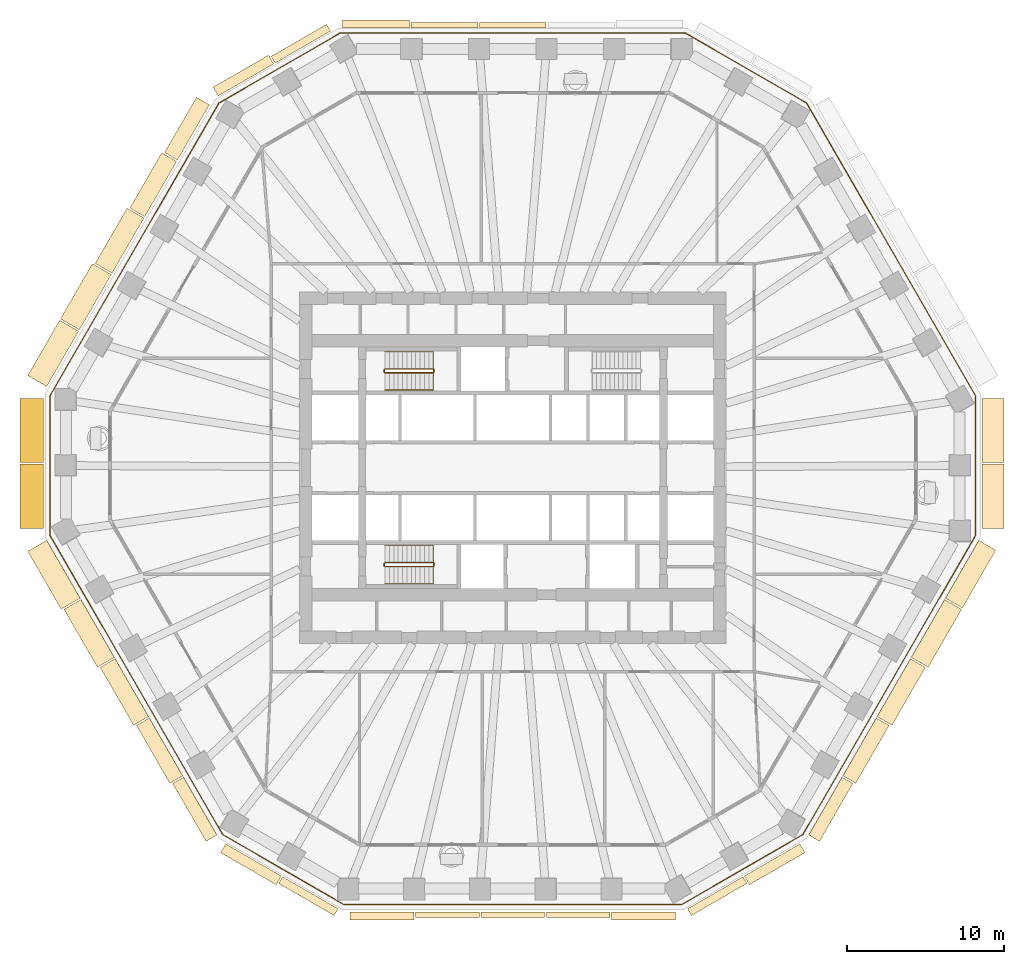
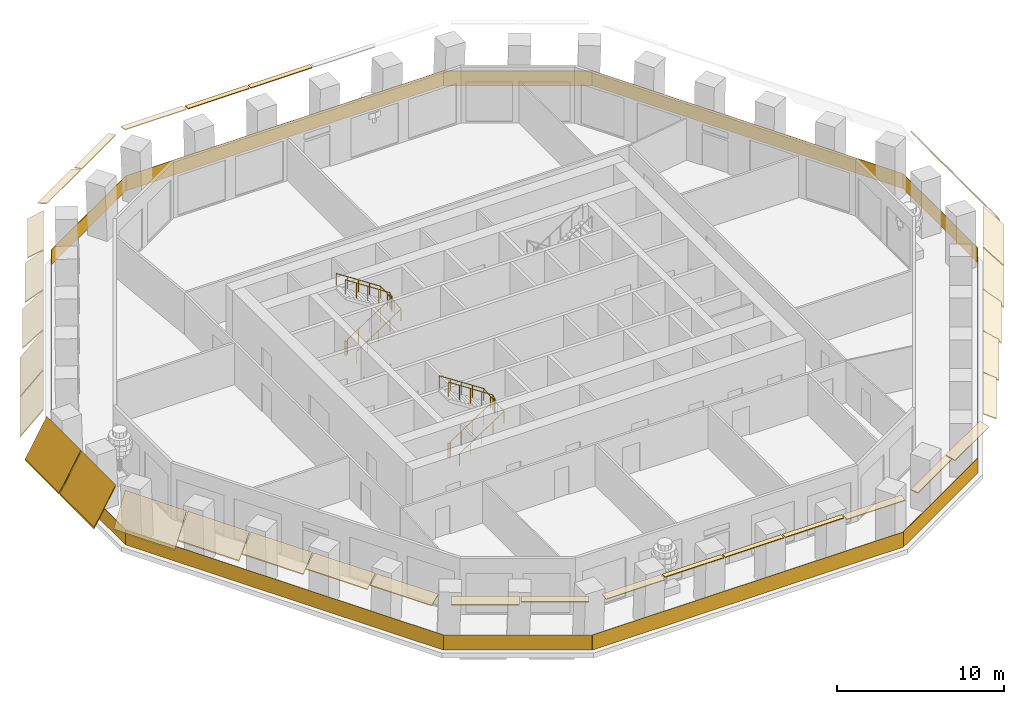
# One storey, part 9 of 12: 33 coverings, 5 railings.
"""IFC4 building model written with IfcOpenShell, lengths in metres."""

from ifc_helpers import new_model, si_unit, direction, frame, origin, origin_2d, place, context, subcontext, project, spatial, polyline, rectangle, circle, outline, extrude, material, layer, layer_set, type_object, element, save


model = new_model("IFC4")

# Units and contexts
model_context = context("Model", 3, precision=1e-05, world=origin(), true_north=direction((0.0, 1.0)))
body_context = subcontext(model_context, "Body", "Model", "MODEL_VIEW")
ifc_project = project(units=[si_unit("LENGTHUNIT", "METRE"), si_unit("AREAUNIT", "SQUARE_METRE"), si_unit("VOLUMEUNIT", "CUBIC_METRE"), si_unit("PLANEANGLEUNIT", "RADIAN"), si_unit("MASSUNIT", "GRAM", prefix="KILO")], contexts=[model_context])

# Site, building, storey
site_placement = place(None, origin())
site = spatial("IfcSite", under=ifc_project, at=site_placement, CompositionType="ELEMENT")
building_placement = place(site_placement, origin())
building = spatial("IfcBuilding", under=site, at=building_placement, Name="Frailejon Research Tower", CompositionType="ELEMENT")
storey_placement = place(building_placement, frame((0.0, 0.0, 85.199951171875)))
storey = spatial("IfcBuildingStorey", under=building, at=storey_placement, Name="L18", CompositionType="ELEMENT", Elevation=85.199951171875)

# Coverings
ifc_material_1 = material(Name="Precast concrete C50/60", Category="concrete")
ifc_layer_1 = layer(ifc_material_1, 0.06005859375)
ifc_layer_set_1 = layer_set([ifc_layer_1], Name="Brim blade depth 1100")
covering_type_1 = type_object("IfcCoveringType", Name="Brim blade depth 1100", PredefinedType="CLADDING", material=ifc_layer_set_1)
covering_1_placement = place(storey_placement, frame((-23.464599609375, 16.011474609375, 4.25), z_axis=(0.500006969834, 0.866021379712, 0.0), x_axis=(-0.866021379712, 0.500006969834, 0.0)))
element("IfcCovering", 1, at=covering_1_placement, inside=storey, type_object=covering_type_1, Name="Brim blade L18", PredefinedType="CLADDING", context=body_context, shape_type="SweptSolid", body=[
    extrude(outline(polyline([(0.0, -0.078369140625), (1.10009765625, -1.001220703125), (1.10009765625, -0.923095703125), (0.0, 0.0), (0.0, -0.078369140625)])), origin(), (0.0, 0.0, 1.0), 4.068115234375),
])
for number, where, z_axis, x_axis, name in (
    (2, (-23.22705078125, -15.869384765625, 4.25), (-0.499992485979, 0.866029741963, 0.0), (-0.866029741963, -0.499992485979, 0.0), "Brim blade L18"),
    (3, (25.35693359375, -12.180419921875, 4.25), (-0.499992485979, -0.866029741963, 0.0), (0.866029741963, -0.499992485979, 0.0), "Brim blade L18"),
):
    element("IfcCovering", number, at=place(storey_placement, frame(where, z_axis=z_axis, x_axis=x_axis)), inside=storey, type_object=covering_type_1, Name=name, PredefinedType="CLADDING", context=body_context, shape_type="SweptSolid", body=[
        extrude(outline(polyline([(0.0, -0.078369140625), (1.10009765625, -1.001220703125), (1.10009765625, -0.923095703125), (0.0, 0.0), (0.0, -0.078369140625)])), origin(), (0.0, 0.0, 1.0), 4.259765625),
    ])
ifc_material_2 = material(Name="Precast concrete C50/60", Category="concrete")
ifc_layer_2 = layer(ifc_material_2, 0.06005859375)
ifc_layer_set_2 = layer_set([ifc_layer_2], Name="Brim blade depth 1250")
covering_type_2 = type_object("IfcCoveringType", Name="Brim blade depth 1250", PredefinedType="CLADDING", material=ifc_layer_set_2)
covering_2_placement = place(storey_placement, frame((-25.548583984375, 12.401611328125, 4.25), z_axis=(0.49998897574, 0.86603176855, 0.0), x_axis=(-0.86603176855, 0.49998897574, 0.0)))
element("IfcCovering", 4, at=covering_2_placement, inside=storey, type_object=covering_type_2, Name="Brim blade L18", PredefinedType="CLADDING", context=body_context, shape_type="SweptSolid", body=[
    extrude(outline(polyline([(0.0, -0.0888671875), (1.25, -1.452880859375), (1.25, -1.364013671875), (0.0, 0.0), (0.0, -0.0888671875)])), origin(), (0.0, 0.0, 1.0), 4.068115234375),
])
for number, where, z_axis, x_axis, name in (
    (5, (-25.406982421875, -12.093994140625, 4.25), (-0.499992485979, 0.866029741963, 0.0), (-0.866029741963, -0.499992485979, 0.0), "Brim blade L18"),
    (6, (27.53662109375, -8.40478515625, 4.25), (-0.499992485979, -0.866029741963, 0.0), (0.866029741963, -0.499992485979, 0.0), "Brim blade L18"),
    (7, (29.716552734375, -4.62939453125, 4.25), (-0.500009688898, -0.866019809824, 0.0), (0.866019809824, -0.500009688898, 0.0), "Brim blade L18"),
):
    element("IfcCovering", number, at=place(storey_placement, frame(where, z_axis=z_axis, x_axis=x_axis)), inside=storey, type_object=covering_type_2, Name=name, PredefinedType="CLADDING", context=body_context, shape_type="SweptSolid", body=[
        extrude(outline(polyline([(0.0, -0.0888671875), (1.25, -1.452880859375), (1.25, -1.364013671875), (0.0, 0.0), (0.0, -0.0888671875)])), origin(), (0.0, 0.0, 1.0), 4.259765625),
    ])
ifc_material_3 = material(Name="Precast concrete C50/60", Category="concrete")
ifc_layer_3 = layer(ifc_material_3, 0.06005859375)
ifc_layer_set_3 = layer_set([ifc_layer_3], Name="Brim blade depth 1400")
covering_type_3 = type_object("IfcCoveringType", Name="Brim blade depth 1400", PredefinedType="CLADDING", material=ifc_layer_set_3)
covering_3_placement = place(storey_placement, frame((29.922607421875, 0.2265625, 4.25), z_axis=(0.0, -1.0, 0.0), x_axis=(1.0, 0.0, 0.0)))
element("IfcCovering", 8, at=covering_3_placement, inside=storey, type_object=covering_type_3, Name="Brim blade L18", PredefinedType="CLADDING", context=body_context, shape_type="SweptSolid", body=[
    extrude(outline(polyline([(0.0, -0.1044921875), (1.39990234375, -2.10400390625), (1.39990234375, -1.99951171875), (0.0, 0.0), (0.0, -0.1044921875)])), origin(), (0.0, 0.0, 1.0), 4.087646484375),
])
covering_4_placement = place(storey_placement, frame((29.922607421875, 4.4140625, 4.25), z_axis=(0.0, -1.0, 0.0), x_axis=(1.0, 0.0, 0.0)))
element("IfcCovering", 9, at=covering_4_placement, inside=storey, type_object=covering_type_3, Name="Brim blade L18", PredefinedType="CLADDING", context=body_context, shape_type="SweptSolid", body=[
    extrude(outline(polyline([(0.0, -0.1044921875), (1.39990234375, -2.10400390625), (1.39990234375, -1.99951171875), (0.0, 0.0), (0.0, -0.1044921875)])), origin(), (0.0, 0.0, 1.0), 4.08740234375),
])
for number, where, z_axis, x_axis, name in (
    (10, (-27.632568359375, 8.7919921875, 4.25), (0.499999364741, 0.866025770551, 0.0), (-0.866025770551, 0.499999364741, 0.0), "Brim blade L18"),
    (11, (-29.716552734375, 5.182373046875, 4.25), (0.500006969834, 0.866021379712, 0.0), (-0.866021379712, 0.500006969834, 0.0), "Brim blade L18"),
):
    element("IfcCovering", number, at=place(storey_placement, frame(where, z_axis=z_axis, x_axis=x_axis)), inside=storey, type_object=covering_type_3, Name=name, PredefinedType="CLADDING", context=body_context, shape_type="SweptSolid", body=[
        extrude(outline(polyline([(0.0, -0.1044921875), (1.39990234375, -2.10400390625), (1.39990234375, -1.99951171875), (0.0, 0.0), (0.0, -0.1044921875)])), origin(), (0.0, 0.0, 1.0), 4.068115234375),
    ])
covering_5_placement = place(storey_placement, frame((-27.586669921875, -8.318359375, 4.25), z_axis=(-0.500009688898, 0.866019809824, 0.0), x_axis=(-0.866019809824, -0.500009688898, 0.0)))
element("IfcCovering", 12, at=covering_5_placement, inside=storey, type_object=covering_type_3, Name="Brim blade L18", PredefinedType="CLADDING", context=body_context, shape_type="SweptSolid", body=[
    extrude(outline(polyline([(0.0, -0.1044921875), (1.39990234375, -2.10400390625), (1.39990234375, -1.99951171875), (0.0, 0.0), (0.0, -0.1044921875)])), origin(), (0.0, 0.0, 1.0), 4.259765625),
])
ifc_material_4 = material(Name="Precast concrete C50/60", Category="concrete")
ifc_layer_4 = layer(ifc_material_4, 0.06005859375)
ifc_layer_set_4 = layer_set([ifc_layer_4], Name="Brim blade depth 1500")
covering_type_4 = type_object("IfcCoveringType", Name="Brim blade depth 1500", PredefinedType="CLADDING", material=ifc_layer_set_4)
covering_6_placement = place(storey_placement, frame((-29.922607421875, 0.32666015625, 4.25), z_axis=(0.0, 1.0, 0.0), x_axis=(-1.0, 0.0, 0.0)))
element("IfcCovering", 13, at=covering_6_placement, inside=storey, type_object=covering_type_4, Name="Brim blade L18", PredefinedType="CLADDING", context=body_context, shape_type="SweptSolid", body=[
    extrude(outline(polyline([(0.0, -0.1201171875), (1.5, -2.718017578125), (1.5, -2.59814453125), (0.0, 0.0), (0.0, -0.1201171875)])), origin(), (0.0, 0.0, 1.0), 4.08740234375),
])
covering_7_placement = place(storey_placement, frame((-29.922607421875, -3.861083984375, 4.25), z_axis=(0.0, 1.0, 0.0), x_axis=(-1.0, 0.0, 0.0)))
element("IfcCovering", 14, at=covering_7_placement, inside=storey, type_object=covering_type_4, Name="Brim blade L18", PredefinedType="CLADDING", context=body_context, shape_type="SweptSolid", body=[
    extrude(outline(polyline([(0.0, -0.1201171875), (1.5, -2.718017578125), (1.5, -2.59814453125), (0.0, 0.0), (0.0, -0.1201171875)])), origin(), (0.0, 0.0, 1.0), 4.087646484375),
])
ifc_material_5 = material(Name="Precast concrete C50/60", Category="concrete")
ifc_layer_5 = layer(ifc_material_5, 0.06005859375)
ifc_layer_set_5 = layer_set([ifc_layer_5], Name="Brim blade depth 350")
covering_type_5 = type_object("IfcCoveringType", Name="Brim blade depth 350", PredefinedType="CLADDING", material=ifc_layer_set_5)
covering_8_placement = place(storey_placement, frame((-2.1298828125, 28.050048828125, 4.25), z_axis=(1.0, 0.0, 0.0), x_axis=(0.0, 1.0, 0.0)))
element("IfcCovering", 15, at=covering_8_placement, inside=storey, type_object=covering_type_5, Name="Brim blade L18", PredefinedType="CLADDING", context=body_context, shape_type="SweptSolid", body=[
    extrude(outline(polyline([(0.0, -0.06005859375), (0.35009765625, -0.06005859375), (0.35009765625, 0.0), (0.0, 0.0), (0.0, -0.06005859375)])), origin(), (0.0, 0.0, 1.0), 4.259521484375),
])
covering_9_placement = place(storey_placement, frame((-6.489501953125, 28.050048828125, 4.25), z_axis=(1.0, 0.0, 0.0), x_axis=(0.0, 1.0, 0.0)))
element("IfcCovering", 16, at=covering_9_placement, inside=storey, type_object=covering_type_5, Name="Brim blade L18", PredefinedType="CLADDING", context=body_context, shape_type="SweptSolid", body=[
    extrude(outline(polyline([(0.0, -0.06005859375), (0.35009765625, -0.06005859375), (0.35009765625, 0.0), (0.0, 0.0), (0.0, -0.06005859375)])), origin(), (0.0, 0.0, 1.0), 4.259765625),
])
for number, where, z_axis, x_axis, name in (
    (17, (-2.134033203125, -28.32666015625, 4.25), (-1.0, 0.0, 0.0), (0.0, -1.0, 0.0), "Brim blade L18"),
    (18, (2.033935546875, -28.32666015625, 4.25), (-1.0, 0.0, 0.0), (0.0, -1.0, 0.0), "Brim blade L18"),
    (19, (6.2021484375, -28.32666015625, 4.25), (-1.0, 0.0, 0.0), (0.0, -1.0, 0.0), "Brim blade L18"),
):
    element("IfcCovering", number, at=place(storey_placement, frame(where, z_axis=z_axis, x_axis=x_axis)), inside=storey, type_object=covering_type_5, Name=name, PredefinedType="CLADDING", context=body_context, shape_type="SweptSolid", body=[
        extrude(outline(polyline([(0.0, -0.06005859375), (0.35009765625, -0.06005859375), (0.35009765625, 0.0), (0.0, 0.0), (0.0, -0.06005859375)])), origin(), (0.0, 0.0, 1.0), 4.068115234375),
    ])
ifc_material_6 = material(Name="Precast concrete C50/60", Category="concrete")
ifc_layer_6 = layer(ifc_material_6, 0.06005859375)
ifc_layer_set_6 = layer_set([ifc_layer_6], Name="Brim blade depth 500")
covering_type_6 = type_object("IfcCoveringType", Name="Brim blade depth 500", PredefinedType="CLADDING", material=ifc_layer_set_6)
covering_10_placement = place(storey_placement, frame((-10.84912109375, 28.050048828125, 4.25), z_axis=(1.0, 0.0, 0.0), x_axis=(0.0, 1.0, 0.0)))
element("IfcCovering", 20, at=covering_10_placement, inside=storey, type_object=covering_type_6, Name="Brim blade L18", PredefinedType="CLADDING", context=body_context, shape_type="SweptSolid", body=[
    extrude(outline(polyline([(0.0, -0.060546875), (0.5, -0.130859375), (0.5, -0.0703125), (0.0, 0.0), (0.0, -0.060546875)])), origin(), (0.0, 0.0, 1.0), 4.259765625),
])
for number, where, z_axis, x_axis, name in (
    (21, (-15.157470703125, 25.80029296875, 4.25), (0.866021344981, 0.500007029989, 0.0), (-0.500007029989, 0.866021344981, 0.0), "Brim blade L18"),
    (22, (-11.138427734375, -28.12060546875, 4.25), (-0.866021344981, 0.500007029989, 0.0), (-0.500007029989, -0.866021344981, 0.0), "Brim blade L18"),
):
    element("IfcCovering", number, at=place(storey_placement, frame(where, z_axis=z_axis, x_axis=x_axis)), inside=storey, type_object=covering_type_6, Name=name, PredefinedType="CLADDING", context=body_context, shape_type="SweptSolid", body=[
        extrude(outline(polyline([(0.0, -0.060546875), (0.5, -0.130859375), (0.5, -0.0703125), (0.0, 0.0), (0.0, -0.060546875)])), origin(), (0.0, 0.0, 1.0), 4.08740234375),
    ])
for number, where, z_axis, x_axis, name in (
    (23, (-6.302001953125, -28.32666015625, 4.25), (-1.0, 0.0, 0.0), (0.0, -1.0, 0.0), "Brim blade L18"),
    (24, (10.3701171875, -28.32666015625, 4.25), (-1.0, 0.0, 0.0), (0.0, -1.0, 0.0), "Brim blade L18"),
):
    element("IfcCovering", number, at=place(storey_placement, frame(where, z_axis=z_axis, x_axis=x_axis)), inside=storey, type_object=covering_type_6, Name=name, PredefinedType="CLADDING", context=body_context, shape_type="SweptSolid", body=[
        extrude(outline(polyline([(0.0, -0.060546875), (0.5, -0.130859375), (0.5, -0.0703125), (0.0, 0.0), (0.0, -0.060546875)])), origin(), (0.0, 0.0, 1.0), 4.068115234375),
    ])
covering_11_placement = place(storey_placement, frame((14.678466796875, -26.076904296875, 4.25), z_axis=(-0.866021344981, -0.500007029989, 0.0), x_axis=(0.500007029989, -0.866021344981, 0.0)))
element("IfcCovering", 25, at=covering_11_placement, inside=storey, type_object=covering_type_6, Name="Brim blade L18", PredefinedType="CLADDING", context=body_context, shape_type="SweptSolid", body=[
    extrude(outline(polyline([(0.0, -0.060546875), (0.5, -0.130859375), (0.5, -0.0703125), (0.0, 0.0), (0.0, -0.060546875)])), origin(), (0.0, 0.0, 1.0), 4.08740234375),
])
ifc_material_7 = material(Name="Precast concrete C50/60", Category="concrete")
ifc_layer_7 = layer(ifc_material_7, 0.06005859375)
ifc_layer_set_7 = layer_set([ifc_layer_7], Name="Brim blade depth 650")
covering_type_7 = type_object("IfcCoveringType", Name="Brim blade depth 650", PredefinedType="CLADDING", material=ifc_layer_set_7)
for number, where, z_axis, x_axis, name in (
    (26, (-18.783935546875, 23.70654296875, 4.25), (0.866027315287, 0.499996689166, 0.0), (-0.499996689166, 0.866027315287, 0.0), "Brim blade L18"),
    (27, (-14.764892578125, -26.02685546875, 4.25), (-0.866027315287, 0.499996689166, 0.0), (-0.499996689166, -0.866027315287, 0.0), "Brim blade L18"),
    (28, (18.304931640625, -23.983154296875, 4.25), (-0.866027315287, -0.499996689166, 0.0), (0.499996689166, -0.866027315287, 0.0), "Brim blade L18"),
):
    element("IfcCovering", number, at=place(storey_placement, frame(where, z_axis=z_axis, x_axis=x_axis)), inside=storey, type_object=covering_type_7, Name=name, PredefinedType="CLADDING", context=body_context, shape_type="SweptSolid", body=[
        extrude(outline(polyline([(0.0, -0.0625), (0.64990234375, -0.248779296875), (0.64990234375, -0.186279296875), (0.0, 0.0), (0.0, -0.0625)])), origin(), (0.0, 0.0, 1.0), 4.087646484375),
    ])
ifc_material_8 = material(Name="Precast concrete C50/60", Category="concrete")
ifc_layer_8 = layer(ifc_material_8, 0.06005859375)
ifc_layer_set_8 = layer_set([ifc_layer_8], Name="Brim blade depth 800")
covering_type_8 = type_object("IfcCoveringType", Name="Brim blade depth 800", PredefinedType="CLADDING", material=ifc_layer_set_8)
for number, where, z_axis, x_axis, name in (
    (29, (-18.867431640625, -23.420654296875, 4.25), (-0.499992485979, 0.866029741963, 0.0), (-0.866029741963, -0.499992485979, 0.0), "Brim blade L18"),
    (30, (20.997314453125, -19.731689453125, 4.25), (-0.499992485979, -0.866029741963, 0.0), (0.866029741963, -0.499992485979, 0.0), "Brim blade L18"),
):
    element("IfcCovering", number, at=place(storey_placement, frame(where, z_axis=z_axis, x_axis=x_axis)), inside=storey, type_object=covering_type_8, Name=name, PredefinedType="CLADDING", context=body_context, shape_type="SweptSolid", body=[
        extrude(outline(polyline([(0.0, -0.065673828125), (0.800048828125, -0.421875), (0.800048828125, -0.356201171875), (0.0, 0.0), (0.0, -0.065673828125)])), origin(), (0.0, 0.0, 1.0), 4.259765625),
    ])
ifc_material_9 = material(Name="Precast concrete C50/60", Category="concrete")
ifc_layer_9 = layer(ifc_material_9, 0.06005859375)
ifc_layer_set_9 = layer_set([ifc_layer_9], Name="Brim blade depth 950")
covering_type_9 = type_object("IfcCoveringType", Name="Brim blade depth 950", PredefinedType="CLADDING", material=ifc_layer_set_9)
covering_12_placement = place(storey_placement, frame((-21.38037109375, 19.62109375, 4.25), z_axis=(0.499999364741, 0.866025770551, 0.0), x_axis=(-0.866025770551, 0.499999364741, 0.0)))
element("IfcCovering", 31, at=covering_12_placement, inside=storey, type_object=covering_type_9, Name="Brim blade L18", PredefinedType="CLADDING", context=body_context, shape_type="SweptSolid", body=[
    extrude(outline(polyline([(0.0, -0.07080078125), (0.949951171875, -0.664306640625), (0.949951171875, -0.593505859375), (0.0, 0.0), (0.0, -0.07080078125)])), origin(), (0.0, 0.0, 1.0), 4.068115234375),
])
for number, where, z_axis, x_axis, name in (
    (32, (-21.047119140625, -19.64501953125, 4.25), (-0.500009688898, 0.866019809824, 0.0), (-0.866019809824, -0.500009688898, 0.0), "Brim blade L18"),
    (33, (23.177001953125, -15.9560546875, 4.25), (-0.500009688898, -0.866019809824, 0.0), (0.866019809824, -0.500009688898, 0.0), "Brim blade L18"),
):
    element("IfcCovering", number, at=place(storey_placement, frame(where, z_axis=z_axis, x_axis=x_axis)), inside=storey, type_object=covering_type_9, Name=name, PredefinedType="CLADDING", context=body_context, shape_type="SweptSolid", body=[
        extrude(outline(polyline([(0.0, -0.07080078125), (0.949951171875, -0.664306640625), (0.949951171875, -0.593505859375), (0.0, 0.0), (0.0, -0.07080078125)])), origin(), (0.0, 0.0, 1.0), 4.259765625),
    ])

# Railings
ifc_material_10 = material(Name="Laminated glass balustrade", Category="glass")
railing_type_1 = type_object("IfcRailingType", Name="Glass guard 1100", PredefinedType="GUARDRAIL", material=ifc_material_10)
railing_1_placement = place(storey_placement, frame((29.50732421875, -4.3212890625, 0.0)))
element("IfcRailing", 34, at=railing_1_placement, inside=storey, type_object=railing_type_1, Name="Loggia guard L18", PredefinedType="GUARDRAIL", context=body_context, shape_type="SweptSolid", body=[
    extrude(rectangle(XDim=8.9189453125, YDim=0.030029296875, at=origin_2d()), frame((0.0, 4.45947265625, 0.0), z_axis=(0.0, 0.0, 1.0), x_axis=(0.0, 1.0, 0.0)), (0.0, 0.0, 1.0), 1.10009765625),
    extrude(rectangle(XDim=21.5439453125, YDim=0.030029296875, at=origin_2d()), frame((-5.385986328125, 18.247802734375, 0.0), z_axis=(0.0, 0.0, 1.0), x_axis=(-0.499997770916, 0.866026690743, 0.0)), (0.0, 0.0, 1.0), 1.10009765625),
    extrude(rectangle(XDim=8.918701171875, YDim=0.030029296875, at=origin_2d()), frame((-14.6337890625, 29.80615234375, 0.0), z_axis=(0.0, 0.0, 1.0), x_axis=(-0.866032876802, 0.49998705613, 0.0)), (0.0, 0.0, 1.0), 1.10009765625),
    extrude(rectangle(XDim=22.02294921875, YDim=0.030029296875, at=origin_2d()), frame((-29.50732421875, 32.035888671875, 0.0), z_axis=(0.0, 0.0, 1.0), x_axis=(-1.0, 0.0, 0.0)), (0.0, 0.0, 1.0), 1.10009765625),
    extrude(rectangle(XDim=8.918701171875, YDim=0.030029296875, at=origin_2d()), frame((-44.380859375, 29.80615234375, 0.0), z_axis=(0.0, 0.0, 1.0), x_axis=(-0.866032876802, -0.49998705613, 0.0)), (0.0, 0.0, 1.0), 1.10009765625),
    extrude(rectangle(XDim=21.5439453125, YDim=0.030029296875, at=origin_2d()), frame((-53.628662109375, 18.247802734375, 0.0), z_axis=(0.0, 0.0, 1.0), x_axis=(-0.499997770916, -0.866026690743, 0.0)), (0.0, 0.0, 1.0), 1.10009765625),
    extrude(rectangle(XDim=8.9189453125, YDim=0.030029296875, at=origin_2d()), frame((-59.0146484375, 4.45947265625, 0.0), z_axis=(0.0, 0.0, 1.0), x_axis=(0.0, -1.0, 0.0)), (0.0, 0.0, 1.0), 1.10009765625),
    extrude(rectangle(XDim=22.022705078125, YDim=0.030029296875, at=origin_2d()), frame((-53.5087890625, -9.5361328125, 0.0), z_axis=(0.0, 0.0, 1.0), x_axis=(0.500003300554, -0.8660234982, 0.0)), (0.0, 0.0, 1.0), 1.10009765625),
    extrude(rectangle(XDim=8.918701171875, YDim=0.030029296875, at=origin_2d()), frame((-44.14111328125, -21.302001953125, 0.0), z_axis=(0.0, 0.0, 1.0), x_axis=(0.866021023613, -0.500007586602, 0.0)), (0.0, 0.0, 1.0), 1.10009765625),
    extrude(rectangle(XDim=21.5439453125, YDim=0.030029296875, at=origin_2d()), frame((-29.50732421875, -23.53173828125, 0.0), z_axis=(0.0, 0.0, 1.0), x_axis=(1.0, 0.0, 0.0)), (0.0, 0.0, 1.0), 1.10009765625),
    extrude(rectangle(XDim=8.918701171875, YDim=0.030029296875, at=origin_2d()), frame((-14.87353515625, -21.302001953125, 0.0), z_axis=(0.0, 0.0, 1.0), x_axis=(0.866021023613, 0.500007586602, 0.0)), (0.0, 0.0, 1.0), 1.10009765625),
    extrude(rectangle(XDim=21.952880859375, YDim=0.030029296875, at=origin_2d()), frame((-5.523193359375, -9.56640625, 0.0), z_axis=(0.0, 0.0, 1.0), x_axis=(0.500004836318, 0.866022611517, 0.0)), (0.0, 0.0, 1.0), 1.10009765625),
])
ifc_material_11 = material(Name="Stainless steel", Category="steel")
railing_type_2 = type_object("IfcRailingType", Name="Stair guard 1100", PredefinedType="GUARDRAIL", material=ifc_material_11)
railing_2_placement = place(storey_placement, frame((-8.199951171875, 6.25, 0.0)))
element("IfcRailing", 35, at=railing_2_placement, inside=storey, type_object=railing_type_2, Name="L18 ST1 stair guard 1", PredefinedType="GUARDRAIL", context=body_context, shape_type="SweptSolid", body=[
    extrude(circle(Radius=0.02392578125, at=origin_2d()), frame((0.0, 0.0, 1.076171875), z_axis=(0.0, -1.0, 0.0), x_axis=(1.0, 0.0, 0.0)), (0.0, 0.0, 1.0), 0.14990234375),
    extrude(circle(Radius=0.02392578125, at=origin_2d()), frame((0.0, -0.14990234375, 1.076171875), z_axis=(0.254653276557, -0.254653276557, 0.932900539971), x_axis=(0.707106781187, 0.707106781187, 0.0)), (0.0, 0.0, 1.0), 0.196533203125),
    extrude(circle(Radius=0.02392578125, at=origin_2d()), frame((0.050048828125, -0.199951171875, 1.25927734375), z_axis=(0.836613101238, 0.0, 0.547794230379), x_axis=(0.0, 1.0, 0.0)), (0.0, 0.0, 1.0), 3.681396484375),
    extrude(circle(Radius=0.02392578125, at=origin_2d()), frame((3.1298828125, -0.199951171875, 3.27587890625), z_axis=(0.707106781187, 0.707106781187, 0.0), x_axis=(-0.707106781187, 0.707106781187, 0.0)), (0.0, 0.0, 1.0), 0.07080078125),
    extrude(circle(Radius=0.02392578125, at=origin_2d()), frame((3.179931640625, -0.14990234375, 3.27587890625), z_axis=(0.0, 1.0, 0.0), x_axis=(-1.0, 0.0, 0.0)), (0.0, 0.0, 1.0), 0.14990234375),
    extrude(circle(Radius=0.02392578125, at=origin_2d()), frame((3.179931640625, 0.0, 3.27587890625), z_axis=(-0.254653276557, 0.254653276557, 0.932900539971), x_axis=(-0.707106781187, -0.707106781187, 0.0)), (0.0, 0.0, 1.0), 0.196533203125),
    extrude(circle(Radius=0.02392578125, at=origin_2d()), frame((3.1298828125, 0.050048828125, 3.45947265625), z_axis=(-0.836582707638, 0.0, 0.547840645882), x_axis=(0.0, -1.0, 0.0)), (0.0, 0.0, 1.0), 3.681396484375),
    extrude(circle(Radius=0.02099609375, at=origin_2d()), origin(), (0.0, 0.0, 1.0), 1.052001953125),
    extrude(circle(Radius=0.02099609375, at=origin_2d()), frame((0.0, -0.14990234375, 0.0)), (0.0, 0.0, 1.0), 1.052001953125),
    extrude(circle(Radius=0.02099609375, at=origin_2d()), frame((0.050048828125, -0.199951171875, 0.183349609375)), (0.0, 0.0, 1.0), 1.052001953125),
    extrude(circle(Radius=0.02099609375, at=origin_2d()), frame((0.820068359375, -0.199951171875, 0.6875)), (0.0, 0.0, 1.0), 1.052001953125),
    extrude(circle(Radius=0.02099609375, at=origin_2d()), frame((1.58984375, -0.199951171875, 1.191650390625)), (0.0, 0.0, 1.0), 1.052001953125),
    extrude(circle(Radius=0.02099609375, at=origin_2d()), frame((2.35986328125, -0.199951171875, 1.69580078125)), (0.0, 0.0, 1.0), 1.052001953125),
    extrude(circle(Radius=0.02099609375, at=origin_2d()), frame((3.1298828125, -0.199951171875, 2.199951171875)), (0.0, 0.0, 1.0), 1.052001953125),
    extrude(circle(Radius=0.02099609375, at=origin_2d()), frame((3.179931640625, -0.14990234375, 2.199951171875)), (0.0, 0.0, 1.0), 1.052001953125),
    extrude(circle(Radius=0.02099609375, at=origin_2d()), frame((3.179931640625, 0.0, 2.199951171875)), (0.0, 0.0, 1.0), 1.052001953125),
    extrude(circle(Radius=0.02099609375, at=origin_2d()), frame((3.1298828125, 0.050048828125, 2.38330078125)), (0.0, 0.0, 1.0), 1.052001953125),
    extrude(circle(Radius=0.02099609375, at=origin_2d()), frame((2.35986328125, 0.050048828125, 2.887451171875)), (0.0, 0.0, 1.0), 1.052001953125),
    extrude(circle(Radius=0.02099609375, at=origin_2d()), frame((1.58984375, 0.050048828125, 3.3916015625)), (0.0, 0.0, 1.0), 1.052001953125),
    extrude(circle(Radius=0.02099609375, at=origin_2d()), frame((0.820068359375, 0.050048828125, 3.89599609375)), (0.0, 0.0, 1.0), 1.052001953125),
    extrude(circle(Radius=0.02099609375, at=origin_2d()), frame((0.050048828125, 0.050048828125, 4.400146484375)), (0.0, 0.0, 1.0), 1.052001953125),
])
railing_3_placement = place(storey_placement, frame((-8.199951171875, -6.10009765625, 0.0)))
element("IfcRailing", 36, at=railing_3_placement, inside=storey, type_object=railing_type_2, Name="L18 ST2 stair guard 1", PredefinedType="GUARDRAIL", context=body_context, shape_type="SweptSolid", body=[
    extrude(circle(Radius=0.02392578125, at=origin_2d()), frame((0.0, 0.0, 1.076171875), z_axis=(0.0, -1.0, 0.0), x_axis=(1.0, 0.0, 0.0)), (0.0, 0.0, 1.0), 0.14990234375),
    extrude(circle(Radius=0.02392578125, at=origin_2d()), frame((0.0, -0.14990234375, 1.076171875), z_axis=(0.254653276557, -0.254653276557, 0.932900539971), x_axis=(0.707106781187, 0.707106781187, 0.0)), (0.0, 0.0, 1.0), 0.196533203125),
    extrude(circle(Radius=0.02392578125, at=origin_2d()), frame((0.050048828125, -0.199951171875, 1.25927734375), z_axis=(0.836613101238, 0.0, 0.547794230379), x_axis=(0.0, 1.0, 0.0)), (0.0, 0.0, 1.0), 3.681396484375),
    extrude(circle(Radius=0.02392578125, at=origin_2d()), frame((3.1298828125, -0.199951171875, 3.27587890625), z_axis=(0.707106781187, 0.707106781187, 0.0), x_axis=(-0.707106781187, 0.707106781187, 0.0)), (0.0, 0.0, 1.0), 0.07080078125),
    extrude(circle(Radius=0.02392578125, at=origin_2d()), frame((3.179931640625, -0.14990234375, 3.27587890625), z_axis=(0.0, 1.0, 0.0), x_axis=(-1.0, 0.0, 0.0)), (0.0, 0.0, 1.0), 0.14990234375),
    extrude(circle(Radius=0.02392578125, at=origin_2d()), frame((3.179931640625, 0.0, 3.27587890625), z_axis=(-0.254653276557, 0.254653276557, 0.932900539971), x_axis=(-0.707106781187, -0.707106781187, 0.0)), (0.0, 0.0, 1.0), 0.196533203125),
    extrude(circle(Radius=0.02392578125, at=origin_2d()), frame((3.1298828125, 0.050048828125, 3.45947265625), z_axis=(-0.836582707638, 0.0, 0.547840645882), x_axis=(0.0, -1.0, 0.0)), (0.0, 0.0, 1.0), 3.681396484375),
    extrude(circle(Radius=0.02099609375, at=origin_2d()), origin(), (0.0, 0.0, 1.0), 1.052001953125),
    extrude(circle(Radius=0.02099609375, at=origin_2d()), frame((0.0, -0.14990234375, 0.0)), (0.0, 0.0, 1.0), 1.052001953125),
    extrude(circle(Radius=0.02099609375, at=origin_2d()), frame((0.050048828125, -0.199951171875, 0.183349609375)), (0.0, 0.0, 1.0), 1.052001953125),
    extrude(circle(Radius=0.02099609375, at=origin_2d()), frame((0.820068359375, -0.199951171875, 0.6875)), (0.0, 0.0, 1.0), 1.052001953125),
    extrude(circle(Radius=0.02099609375, at=origin_2d()), frame((1.58984375, -0.199951171875, 1.191650390625)), (0.0, 0.0, 1.0), 1.052001953125),
    extrude(circle(Radius=0.02099609375, at=origin_2d()), frame((2.35986328125, -0.199951171875, 1.69580078125)), (0.0, 0.0, 1.0), 1.052001953125),
    extrude(circle(Radius=0.02099609375, at=origin_2d()), frame((3.1298828125, -0.199951171875, 2.199951171875)), (0.0, 0.0, 1.0), 1.052001953125),
    extrude(circle(Radius=0.02099609375, at=origin_2d()), frame((3.179931640625, -0.14990234375, 2.199951171875)), (0.0, 0.0, 1.0), 1.052001953125),
    extrude(circle(Radius=0.02099609375, at=origin_2d()), frame((3.179931640625, 0.0, 2.199951171875)), (0.0, 0.0, 1.0), 1.052001953125),
    extrude(circle(Radius=0.02099609375, at=origin_2d()), frame((3.1298828125, 0.050048828125, 2.38330078125)), (0.0, 0.0, 1.0), 1.052001953125),
    extrude(circle(Radius=0.02099609375, at=origin_2d()), frame((2.35986328125, 0.050048828125, 2.887451171875)), (0.0, 0.0, 1.0), 1.052001953125),
    extrude(circle(Radius=0.02099609375, at=origin_2d()), frame((1.58984375, 0.050048828125, 3.3916015625)), (0.0, 0.0, 1.0), 1.052001953125),
    extrude(circle(Radius=0.02099609375, at=origin_2d()), frame((0.820068359375, 0.050048828125, 3.89599609375)), (0.0, 0.0, 1.0), 1.052001953125),
    extrude(circle(Radius=0.02099609375, at=origin_2d()), frame((0.050048828125, 0.050048828125, 4.400146484375)), (0.0, 0.0, 1.0), 1.052001953125),
])
ifc_material_12 = material(Name="Stainless steel", Category="steel")
railing_type_3 = type_object("IfcRailingType", Name="Stair handrail 900", PredefinedType="HANDRAIL", material=ifc_material_12)
railing_4_placement = place(storey_placement, frame((-8.14990234375, 4.949951171875, 0.183349609375)))
element("IfcRailing", 37, at=railing_4_placement, inside=storey, type_object=railing_type_3, Name="L18 ST1 stair handrail 1", PredefinedType="HANDRAIL", context=body_context, shape_type="SweptSolid", body=[
    extrude(circle(Radius=0.02392578125, at=origin_2d()), frame((0.0, 0.0, 0.8759765625), z_axis=(0.836613101238, 0.0, 0.547794230379), x_axis=(0.0, 1.0, 0.0)), (0.0, 0.0, 1.0), 3.681396484375),
    extrude(circle(Radius=0.02392578125, at=origin_2d()), frame((3.079833984375, 0.0, 2.892578125), z_axis=(0.0, 0.99721134034, 0.074629368868), x_axis=(-1.0, 0.0, 0.0)), (0.0, 0.0, 1.0), 2.456787109375),
    extrude(circle(Radius=0.02392578125, at=origin_2d()), frame((3.079833984375, 2.449951171875, 3.07568359375), z_axis=(-0.836582707638, 0.0, 0.547840645882), x_axis=(0.0, -1.0, 0.0)), (0.0, 0.0, 1.0), 3.681396484375),
    extrude(circle(Radius=0.02099609375, at=origin_2d()), origin(), (0.0, 0.0, 1.0), 0.851806640625),
    extrude(circle(Radius=0.02099609375, at=origin_2d()), frame((0.77001953125, 0.0, 0.504150390625)), (0.0, 0.0, 1.0), 0.851806640625),
    extrude(circle(Radius=0.02099609375, at=origin_2d()), frame((1.5400390625, 0.0, 1.00830078125)), (0.0, 0.0, 1.0), 0.851806640625),
    extrude(circle(Radius=0.02099609375, at=origin_2d()), frame((2.309814453125, 0.0, 1.512451171875)), (0.0, 0.0, 1.0), 0.851806640625),
    extrude(circle(Radius=0.02099609375, at=origin_2d()), frame((3.079833984375, 0.0, 2.0166015625)), (0.0, 0.0, 1.0), 0.851806640625),
    extrude(circle(Radius=0.02099609375, at=origin_2d()), frame((3.079833984375, 0.816650390625, 2.07763671875)), (0.0, 0.0, 1.0), 0.851806640625),
    extrude(circle(Radius=0.02099609375, at=origin_2d()), frame((3.079833984375, 1.63330078125, 2.138916015625)), (0.0, 0.0, 1.0), 0.851806640625),
    extrude(circle(Radius=0.02099609375, at=origin_2d()), frame((3.079833984375, 2.449951171875, 2.199951171875)), (0.0, 0.0, 1.0), 0.851806640625),
    extrude(circle(Radius=0.02099609375, at=origin_2d()), frame((2.309814453125, 2.449951171875, 2.7041015625)), (0.0, 0.0, 1.0), 0.851806640625),
    extrude(circle(Radius=0.02099609375, at=origin_2d()), frame((1.5400390625, 2.449951171875, 3.20849609375)), (0.0, 0.0, 1.0), 0.851806640625),
    extrude(circle(Radius=0.02099609375, at=origin_2d()), frame((0.77001953125, 2.449951171875, 3.712646484375)), (0.0, 0.0, 1.0), 0.851806640625),
    extrude(circle(Radius=0.02099609375, at=origin_2d()), frame((0.0, 2.449951171875, 4.216796875)), (0.0, 0.0, 1.0), 0.851806640625),
])
railing_5_placement = place(storey_placement, frame((-8.14990234375, -7.39990234375, 0.183349609375)))
element("IfcRailing", 38, at=railing_5_placement, inside=storey, type_object=railing_type_3, Name="L18 ST2 stair handrail 1", PredefinedType="HANDRAIL", context=body_context, shape_type="SweptSolid", body=[
    extrude(circle(Radius=0.02392578125, at=origin_2d()), frame((0.0, 0.0, 0.8759765625), z_axis=(0.836613101238, 0.0, 0.547794230379), x_axis=(0.0, 1.0, 0.0)), (0.0, 0.0, 1.0), 3.681396484375),
    extrude(circle(Radius=0.02392578125, at=origin_2d()), frame((3.079833984375, 0.0, 2.892578125), z_axis=(0.0, 0.99721134034, 0.074629368868), x_axis=(-1.0, 0.0, 0.0)), (0.0, 0.0, 1.0), 2.456787109375),
    extrude(circle(Radius=0.02392578125, at=origin_2d()), frame((3.079833984375, 2.449951171875, 3.07568359375), z_axis=(-0.836582707638, 0.0, 0.547840645882), x_axis=(0.0, -1.0, 0.0)), (0.0, 0.0, 1.0), 3.681396484375),
    extrude(circle(Radius=0.02099609375, at=origin_2d()), origin(), (0.0, 0.0, 1.0), 0.851806640625),
    extrude(circle(Radius=0.02099609375, at=origin_2d()), frame((0.77001953125, 0.0, 0.504150390625)), (0.0, 0.0, 1.0), 0.851806640625),
    extrude(circle(Radius=0.02099609375, at=origin_2d()), frame((1.5400390625, 0.0, 1.00830078125)), (0.0, 0.0, 1.0), 0.851806640625),
    extrude(circle(Radius=0.02099609375, at=origin_2d()), frame((2.309814453125, 0.0, 1.512451171875)), (0.0, 0.0, 1.0), 0.851806640625),
    extrude(circle(Radius=0.02099609375, at=origin_2d()), frame((3.079833984375, 0.0, 2.0166015625)), (0.0, 0.0, 1.0), 0.851806640625),
    extrude(circle(Radius=0.02099609375, at=origin_2d()), frame((3.079833984375, 0.816650390625, 2.07763671875)), (0.0, 0.0, 1.0), 0.851806640625),
    extrude(circle(Radius=0.02099609375, at=origin_2d()), frame((3.079833984375, 1.63330078125, 2.138916015625)), (0.0, 0.0, 1.0), 0.851806640625),
    extrude(circle(Radius=0.02099609375, at=origin_2d()), frame((3.079833984375, 2.449951171875, 2.199951171875)), (0.0, 0.0, 1.0), 0.851806640625),
    extrude(circle(Radius=0.02099609375, at=origin_2d()), frame((2.309814453125, 2.449951171875, 2.7041015625)), (0.0, 0.0, 1.0), 0.851806640625),
    extrude(circle(Radius=0.02099609375, at=origin_2d()), frame((1.5400390625, 2.449951171875, 3.20849609375)), (0.0, 0.0, 1.0), 0.851806640625),
    extrude(circle(Radius=0.02099609375, at=origin_2d()), frame((0.77001953125, 2.449951171875, 3.712646484375)), (0.0, 0.0, 1.0), 0.851806640625),
    extrude(circle(Radius=0.02099609375, at=origin_2d()), frame((0.0, 2.449951171875, 4.216796875)), (0.0, 0.0, 1.0), 0.851806640625),
])

save(model, "model.ifc")
